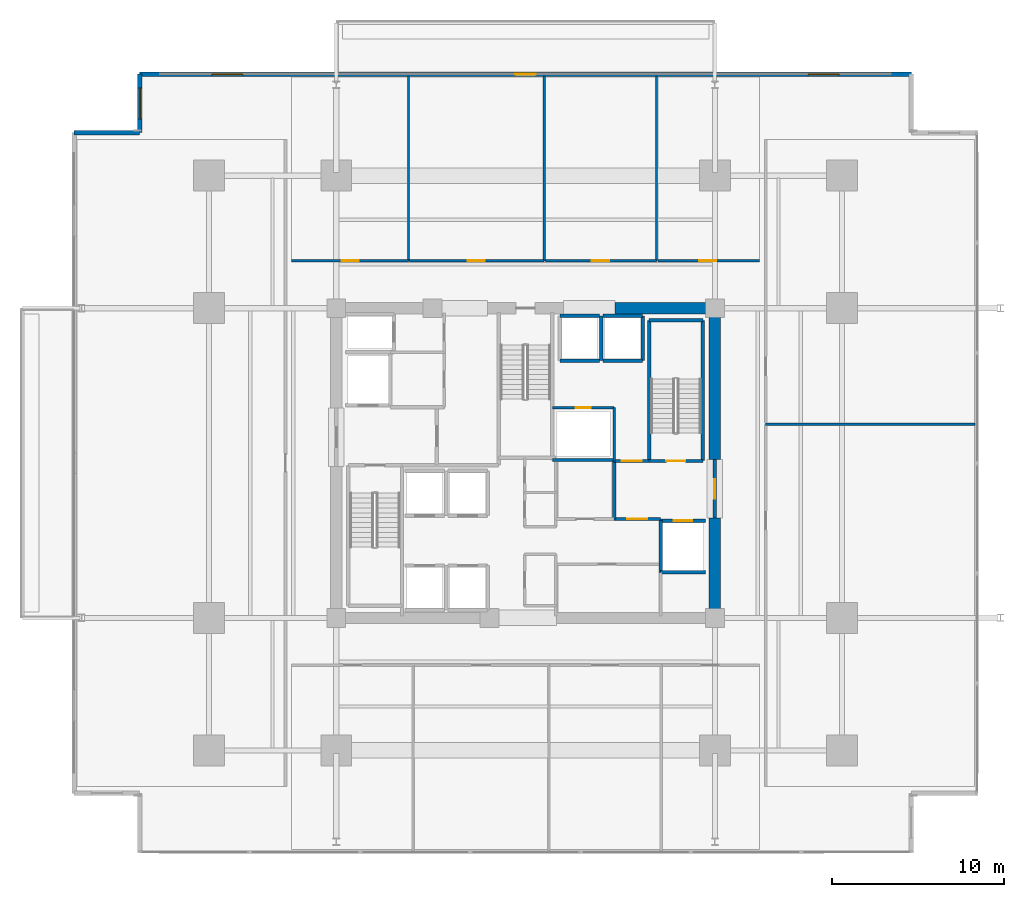
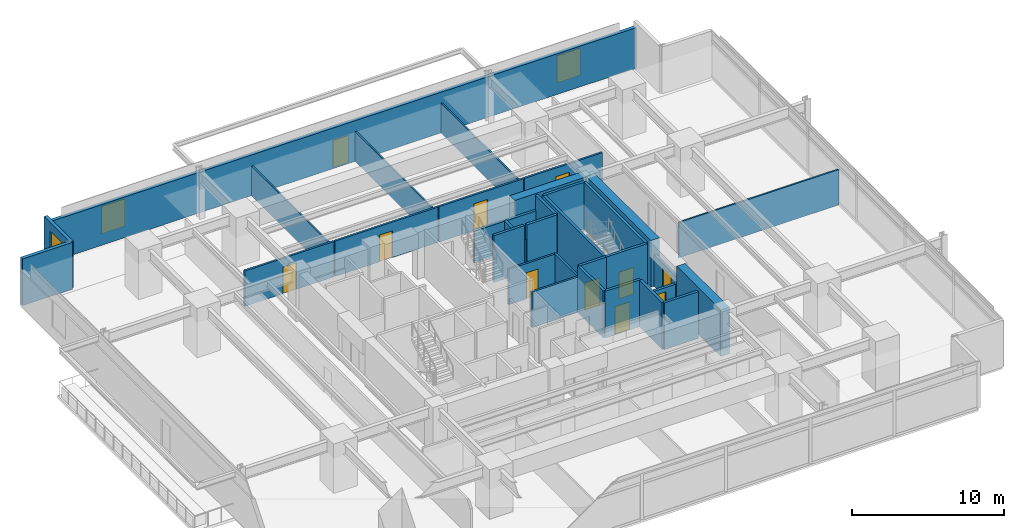
# One storey, part 17 of 22: 34 walls, 11 doors, 3 windows, 14 openings.
"""IFC4 building model written with IfcOpenShell, lengths in metres."""

from ifc_helpers import new_model, si_unit, direction, frame, frame_2d, origin, place, context, subcontext, project, spatial, rectangle, extrude, material, layer, layer_set, type_object, element, fill, save


model = new_model("IFC4")

# Units and contexts
model_context = context("Model", 3, precision=1e-05, world=origin(), true_north=direction((0.0, 1.0)))
body_context = subcontext(model_context, "Body", "Model", "MODEL_VIEW")
ifc_project = project(units=[si_unit("LENGTHUNIT", "METRE"), si_unit("AREAUNIT", "SQUARE_METRE"), si_unit("VOLUMEUNIT", "CUBIC_METRE"), si_unit("PLANEANGLEUNIT", "RADIAN"), si_unit("MASSUNIT", "GRAM", prefix="KILO")], contexts=[model_context])

# Site, building, storey
site_placement = place(None, origin())
site = spatial("IfcSite", under=ifc_project, at=site_placement, CompositionType="ELEMENT")
building_placement = place(site_placement, origin())
building = spatial("IfcBuilding", under=site, at=building_placement, Name="Kovane Verandah Tower", CompositionType="ELEMENT")
storey_placement = place(building_placement, frame((0.0, 0.0, 79.60009765625)))
storey = spatial("IfcBuildingStorey", under=building, at=storey_placement, Name="L18", CompositionType="ELEMENT", Elevation=79.60009765625)

# Walls
ifc_material_1 = material(Name="Fire-Rated Gypsum Stud Partition", Category="gypsum")
ifc_layer_1 = layer(ifc_material_1, 0.14990234375)
ifc_layer_set_1 = layer_set([ifc_layer_1], Name="Fire-Rated Gypsum Stud Partition")
wall_type_1 = type_object("IfcWallType", Name="WL-COR-150", PredefinedType="PARTITIONING", material=ifc_layer_set_1)
wall_1_placement = place(storey_placement, frame((41.56005859375, 27.679931640625, 0.0), z_axis=(0.0, 0.0, 1.0), x_axis=(1.0, 0.0, 0.0)))
element("IfcWall", 1, at=wall_1_placement, inside=storey, type_object=wall_type_1, Name="L18 East Core Service Riser South Wall", PredefinedType="PARTITIONING", context=body_context, shape_type="SweptSolid", body=[
    extrude(rectangle(XDim=3.58984375, YDim=0.14990234375, at=frame_2d((1.794921875, 0.0))), origin(), (0.0, 0.0, 1.0), 2.849853515625),
])
wall_2_placement = place(storey_placement, frame((45.14990234375, 27.6201171875, 0.0), z_axis=(0.0, 0.0, 1.0), x_axis=(0.0, 1.0, 0.0)))
element("IfcWall", 2, at=wall_2_placement, inside=storey, type_object=wall_type_1, Name="L18 East Core Service Riser East Wall", PredefinedType="PARTITIONING", context=body_context, shape_type="SweptSolid", body=[
    extrude(rectangle(XDim=3.099853515625, YDim=0.14990234375, at=frame_2d((1.5498046875, 0.0))), origin(), (0.0, 0.0, 1.0), 2.849853515625),
])

# Wall, opening, door
wall_3_placement = place(storey_placement, frame((41.56005859375, 30.719970703125, 0.0), z_axis=(0.0, 0.0, 1.0), x_axis=(1.0, 0.0, 0.0)))
wall_3 = element("IfcWall", 3, at=wall_3_placement, inside=storey, type_object=wall_type_1, Name="L18 Combined Chilled Water and Smoke Duct Room Partition", PredefinedType="PARTITIONING", context=body_context, shape_type="SweptSolid", body=[
    extrude(rectangle(XDim=3.58984375, YDim=0.14990234375, at=frame_2d((1.794921875, 0.0))), origin(), (0.0, 0.0, 1.0), 2.849853515625),
])
opening_1_placement = place(wall_3_placement, frame((1.35498046875, 0.0, 0.0)))
opening_1 = element("IfcOpeningElement", 4, at=opening_1_placement, cuts=wall_3, Name="Opening DR-L18-016", PredefinedType="OPENING", context=body_context, shape_type="SweptSolid", body=[
    extrude(rectangle(XDim=0.8798828125, YDim=2.10009765625, at=frame_2d((0.43994140625, 1.050048828125))), frame((0.0, 0.074951171875, 0.0), z_axis=(0.0, -1.0, 0.0), x_axis=(1.0, 0.0, 0.0)), (0.0, 0.0, 1.0), 0.14990234375),
])
ifc_material_2 = material(Name="Fire-Rated Steel Riser Access Door", Category="steel")
door_type_1 = type_object("IfcDoorType", Name="DR-RISER-880", OperationType="SINGLE_SWING_LEFT", PredefinedType="DOOR", material=ifc_material_2)
door_1_placement = place(opening_1_placement, origin())
door_1 = element("IfcDoor", 5, at=door_1_placement, inside=storey, type_object=door_type_1, Name="L18 Combined Chilled Water and Smoke Duct Room Door", OperationType="SINGLE_SWING_LEFT", OverallHeight=2.10009765625, OverallWidth=0.8798828125, PredefinedType="DOOR", context=body_context, shape_type="SweptSolid", body=[
    extrude(rectangle(XDim=0.8798828125, YDim=2.10009765625, at=frame_2d((0.43994140625, 1.050048828125))), frame((0.0, 0.02490234375, 0.0), z_axis=(0.0, -1.0, 0.0), x_axis=(1.0, 0.0, 0.0)), (0.0, 0.0, 1.0), 0.050048828125),
])
fill(opening_1, door_1)

wall_4_placement = place(storey_placement, frame((26.39990234375, 39.25, 0.0), z_axis=(0.0, 0.0, 1.0), x_axis=(1.0, 0.0, 0.0)))
wall_4 = element("IfcWall", 6, at=wall_4_placement, inside=storey, type_object=wall_type_1, Name="L18 Focus Studio N1 Corridor Partition", PredefinedType="PARTITIONING", context=body_context, shape_type="SweptSolid", body=[
    extrude(rectangle(XDim=6.800048828125, YDim=0.14990234375, at=frame_2d((3.39990234375, 0.0))), origin(), (0.0, 0.0, 1.0), 2.849853515625),
])
opening_2_placement = place(wall_4_placement, frame((2.9150390625, 0.0, 0.0)))
opening_2 = element("IfcOpeningElement", 7, at=opening_2_placement, cuts=wall_4, Name="Opening DR-L18-017", PredefinedType="OPENING", context=body_context, shape_type="SweptSolid", body=[
    extrude(rectangle(XDim=1.0, YDim=2.14990234375, at=frame_2d((0.5, 1.074951171875))), frame((0.0, 0.074951171875, 0.0), z_axis=(0.0, -1.0, 0.0), x_axis=(1.0, 0.0, 0.0)), (0.0, 0.0, 1.0), 0.14990234375),
])
ifc_material_3 = material(Name="FSC Spotted-Gum Timber Fire-Rated Office Door", Category="wood")
door_type_2 = type_object("IfcDoorType", Name="DR-OFF-1000", OperationType="SINGLE_SWING_LEFT", PredefinedType="DOOR", material=ifc_material_3)
door_2_placement = place(opening_2_placement, origin())
door_2 = element("IfcDoor", 8, at=door_2_placement, inside=storey, type_object=door_type_2, Name="L18 Focus Studio N1 Entrance Door", OperationType="SINGLE_SWING_RIGHT", OverallHeight=2.14990234375, OverallWidth=1.0, PredefinedType="DOOR", context=body_context, shape_type="SweptSolid", body=[
    extrude(rectangle(XDim=1.0, YDim=2.14990234375, at=frame_2d((0.5, 1.074951171875))), frame((0.0, 0.02490234375, 0.0), z_axis=(0.0, -1.0, 0.0), x_axis=(1.0, 0.0, 0.0)), (0.0, 0.0, 1.0), 0.050048828125),
])
fill(opening_2, door_2)

wall_5_placement = place(storey_placement, frame((33.27001953125, 39.25, 0.0), z_axis=(0.0, 0.0, 1.0), x_axis=(1.0, 0.0, 0.0)))
wall_5 = element("IfcWall", 9, at=wall_5_placement, inside=storey, type_object=wall_type_1, Name="L18 Breakout Pantry N2 Corridor Partition", PredefinedType="PARTITIONING", context=body_context, shape_type="SweptSolid", body=[
    extrude(rectangle(XDim=7.81787109375, YDim=0.14990234375, at=frame_2d((3.908935546875, 0.0))), origin(), (0.0, 0.0, 1.0), 2.849853515625),
])
opening_3_placement = place(wall_5_placement, frame((3.3740234375, 0.0, 0.0)))
opening_3 = element("IfcOpeningElement", 10, at=opening_3_placement, cuts=wall_5, Name="Opening DR-L18-018", PredefinedType="OPENING", context=body_context, shape_type="SweptSolid", body=[
    extrude(rectangle(XDim=1.0, YDim=2.14990234375, at=frame_2d((0.5, 1.074951171875))), frame((0.0, 0.074951171875, 0.0), z_axis=(0.0, -1.0, 0.0), x_axis=(1.0, 0.0, 0.0)), (0.0, 0.0, 1.0), 0.14990234375),
])
door_3_placement = place(opening_3_placement, origin())
door_3 = element("IfcDoor", 11, at=door_3_placement, inside=storey, type_object=door_type_2, Name="L18 Breakout Pantry N2 Entrance Door", OperationType="SINGLE_SWING_LEFT", OverallHeight=2.14990234375, OverallWidth=1.0, PredefinedType="DOOR", context=body_context, shape_type="SweptSolid", body=[
    extrude(rectangle(XDim=1.0, YDim=2.14990234375, at=frame_2d((0.5, 1.074951171875))), frame((0.0, 0.02490234375, 0.0), z_axis=(0.0, -1.0, 0.0), x_axis=(1.0, 0.0, 0.0)), (0.0, 0.0, 1.0), 0.050048828125),
])
fill(opening_3, door_3)

wall_6_placement = place(storey_placement, frame((41.157958984375, 39.25, 0.0), z_axis=(0.0, 0.0, 1.0), x_axis=(1.0, 0.0, 0.0)))
wall_6 = element("IfcWall", 12, at=wall_6_placement, inside=storey, type_object=wall_type_1, Name="L18 Collaboration Hub N3 Corridor Partition", PredefinedType="PARTITIONING", context=body_context, shape_type="SweptSolid", body=[
    extrude(rectangle(XDim=6.4580078125, YDim=0.14990234375, at=frame_2d((3.22900390625, 0.0))), origin(), (0.0, 0.0, 1.0), 2.849853515625),
])
opening_4_placement = place(wall_6_placement, frame((2.694091796875, 0.0, 0.0)))
opening_4 = element("IfcOpeningElement", 13, at=opening_4_placement, cuts=wall_6, Name="Opening DR-L18-019", PredefinedType="OPENING", context=body_context, shape_type="SweptSolid", body=[
    extrude(rectangle(XDim=1.0, YDim=2.14990234375, at=frame_2d((0.5, 1.074951171875))), frame((0.0, 0.074951171875, 0.0), z_axis=(0.0, -1.0, 0.0), x_axis=(1.0, 0.0, 0.0)), (0.0, 0.0, 1.0), 0.14990234375),
])
door_4_placement = place(opening_4_placement, origin())
door_4 = element("IfcDoor", 14, at=door_4_placement, inside=storey, type_object=door_type_2, Name="L18 Collaboration Hub N3 Entrance Door", OperationType="SINGLE_SWING_RIGHT", OverallHeight=2.14990234375, OverallWidth=1.0, PredefinedType="DOOR", context=body_context, shape_type="SweptSolid", body=[
    extrude(rectangle(XDim=1.0, YDim=2.14990234375, at=frame_2d((0.5, 1.074951171875))), frame((0.0, 0.02490234375, 0.0), z_axis=(0.0, -1.0, 0.0), x_axis=(1.0, 0.0, 0.0)), (0.0, 0.0, 1.0), 0.050048828125),
])
fill(opening_4, door_4)

wall_7_placement = place(storey_placement, frame((47.68603515625, 39.25, 0.0), z_axis=(0.0, 0.0, 1.0), x_axis=(1.0, 0.0, 0.0)))
wall_7 = element("IfcWall", 15, at=wall_7_placement, inside=storey, type_object=wall_type_1, Name="L18 Document and Print Room N4 Corridor Partition", PredefinedType="PARTITIONING", context=body_context, shape_type="SweptSolid", body=[
    extrude(rectangle(XDim=5.9140625, YDim=0.14990234375, at=frame_2d((2.95703125, 0.0))), origin(), (0.0, 0.0, 1.0), 2.849853515625),
])
opening_5_placement = place(wall_7_placement, frame((2.406982421875, 0.0, 0.0)))
opening_5 = element("IfcOpeningElement", 16, at=opening_5_placement, cuts=wall_7, Name="Opening DR-L18-020", PredefinedType="OPENING", context=body_context, shape_type="SweptSolid", body=[
    extrude(rectangle(XDim=1.0, YDim=2.14990234375, at=frame_2d((0.5, 1.074951171875))), frame((0.0, 0.074951171875, 0.0), z_axis=(0.0, -1.0, 0.0), x_axis=(1.0, 0.0, 0.0)), (0.0, 0.0, 1.0), 0.14990234375),
])
door_5_placement = place(opening_5_placement, origin())
door_5 = element("IfcDoor", 17, at=door_5_placement, inside=storey, type_object=door_type_2, Name="L18 Document and Print Room N4 Entrance Door", OperationType="SINGLE_SWING_LEFT", OverallHeight=2.14990234375, OverallWidth=1.0, PredefinedType="DOOR", context=body_context, shape_type="SweptSolid", body=[
    extrude(rectangle(XDim=1.0, YDim=2.14990234375, at=frame_2d((0.5, 1.074951171875))), frame((0.0, 0.02490234375, 0.0), z_axis=(0.0, -1.0, 0.0), x_axis=(1.0, 0.0, 0.0)), (0.0, 0.0, 1.0), 0.050048828125),
])
fill(opening_5, door_5)

# Walls
ifc_material_4 = material(Name="Concrete C80/95", Category="concrete")
ifc_layer_2 = layer(ifc_material_4, 0.64990234375)
ifc_layer_set_2 = layer_set([ifc_layer_2], Name="Concrete C80/95")
wall_type_2 = type_object("IfcWallType", Name="WL-CORE-650", PredefinedType="SHEAR", material=ifc_layer_set_2)
for number, where, z_axis, x_axis, name in (
    (18, (45.199951171875, 36.5, 0.0), (0.0, 0.0, 1.0), (1.0, 0.0, 0.0), "L18 Core Shear Wall CN-3"),
    (19, (51.0, 18.5, 0.0), (0.0, 0.0, 1.0), (0.0, 1.0, 0.0), "L18 Core Shear Wall CE-1"),
):
    element("IfcWall", number, at=place(storey_placement, frame(where, z_axis=z_axis, x_axis=x_axis)), inside=storey, type_object=wall_type_2, Name=name, PredefinedType="SHEAR", context=body_context, shape_type="SweptSolid", body=[
        extrude(rectangle(XDim=5.800048828125, YDim=0.64990234375, at=frame_2d((2.89990234375, 0.0))), origin(), (0.0, 0.0, 1.0), 3.760009765625),
    ])
wall_8_placement = place(storey_placement, frame((51.0, 27.699951171875, 0.0), z_axis=(0.0, 0.0, 1.0), x_axis=(0.0, 1.0, 0.0)))
element("IfcWall", 20, at=wall_8_placement, inside=storey, type_object=wall_type_2, Name="L18 Core Shear Wall CE-2", PredefinedType="SHEAR", context=body_context, shape_type="SweptSolid", body=[
    extrude(rectangle(XDim=8.800048828125, YDim=0.64990234375, at=frame_2d((4.39990234375, 0.0))), origin(), (0.0, 0.0, 1.0), 3.760009765625),
])
ifc_material_5 = material(Name="Concrete C45/55 Fire Wall", Category="concrete")
ifc_layer_3 = layer(ifc_material_5, 0.199951171875)
ifc_layer_set_3 = layer_set([ifc_layer_3], Name="Concrete C45/55 Fire Wall")
wall_type_3 = type_object("IfcWallType", Name="WL-FFL-200", PredefinedType="PARTITIONING", material=ifc_layer_set_3)
wall_9_placement = place(storey_placement, frame((45.14990234375, 24.25, 0.0), z_axis=(0.0, 0.0, 1.0), x_axis=(0.0, 1.0, 0.0)))
element("IfcWall", 21, at=wall_9_placement, inside=storey, type_object=wall_type_3, Name="L18 East Firefighting Lobby West Fire Wall", PredefinedType="PARTITIONING", context=body_context, shape_type="SweptSolid", body=[
    extrude(rectangle(XDim=3.3701171875, YDim=0.199951171875, at=frame_2d((1.68505859375, 0.0))), origin(), (0.0, 0.0, 1.0), 3.760009765625),
])

# Wall, opening, door
wall_10_placement = place(storey_placement, frame((45.14990234375, 24.25, 0.0), z_axis=(0.0, 0.0, 1.0), x_axis=(1.0, 0.0, 0.0)))
wall_10 = element("IfcWall", 22, at=wall_10_placement, inside=storey, type_object=wall_type_3, Name="W-L18-FFLE-S", PredefinedType="PARTITIONING", context=body_context, shape_type="SweptSolid", body=[
    extrude(rectangle(XDim=2.7001953125, YDim=0.199951171875, at=frame_2d((1.35009765625, 0.0))), origin(), (0.0, 0.0, 1.0), 3.760009765625),
])
opening_6_placement = place(wall_10_placement, frame((0.77490234375, 0.0, 0.0)))
opening_6 = element("IfcOpeningElement", 23, at=opening_6_placement, cuts=wall_10, Name="Opening DR-L18-003", PredefinedType="OPENING", context=body_context, shape_type="SweptSolid", body=[
    extrude(rectangle(XDim=1.14990234375, YDim=2.199951171875, at=frame_2d((0.574951171875, 1.10009765625))), frame((0.0, 0.10009765625, 0.0), z_axis=(0.0, -1.0, 0.0), x_axis=(1.0, 0.0, 0.0)), (0.0, 0.0, 1.0), 0.199951171875),
])
ifc_material_6 = material(Name="Smoke-Sealed Firefighting Lobby Door", Category="steel")
door_type_3 = type_object("IfcDoorType", Name="DR-FFL-1150", OperationType="SINGLE_SWING_LEFT", PredefinedType="DOOR", material=ifc_material_6)
door_6_placement = place(opening_6_placement, origin())
door_6 = element("IfcDoor", 24, at=door_6_placement, inside=storey, type_object=door_type_3, Name="L18 East Firefighting Lobby Inner Door", OperationType="SINGLE_SWING_RIGHT", OverallHeight=2.199951171875, OverallWidth=1.14990234375, PredefinedType="DOOR", context=body_context, shape_type="SweptSolid", body=[
    extrude(rectangle(XDim=1.14990234375, YDim=2.199951171875, at=frame_2d((0.574951171875, 1.10009765625))), frame((0.0, 0.02490234375, 0.0), z_axis=(0.0, -1.0, 0.0), x_axis=(1.0, 0.0, 0.0)), (0.0, 0.0, 1.0), 0.050048828125),
])
fill(opening_6, door_6)

wall_11_placement = place(storey_placement, frame((45.14990234375, 27.6201171875, 0.0), z_axis=(0.0, 0.0, 1.0), x_axis=(1.0, 0.0, 0.0)))
wall_11 = element("IfcWall", 25, at=wall_11_placement, inside=storey, type_object=wall_type_3, Name="W-L18-FFLE-N", PredefinedType="PARTITIONING", context=body_context, shape_type="SweptSolid", body=[
    extrude(rectangle(XDim=2.030029296875, YDim=0.199951171875, at=frame_2d((1.01513671875, 0.0))), origin(), (0.0, 0.0, 1.0), 3.760009765625),
])
opening_7_placement = place(wall_11_placement, frame((0.43994140625, 0.0, 0.0)))
opening_7 = element("IfcOpeningElement", 26, at=opening_7_placement, cuts=wall_11, Name="Opening DR-L18-004", PredefinedType="OPENING", context=body_context, shape_type="SweptSolid", body=[
    extrude(rectangle(XDim=1.14990234375, YDim=2.199951171875, at=frame_2d((0.574951171875, 1.10009765625))), frame((0.0, 0.10009765625, 0.0), z_axis=(0.0, -1.0, 0.0), x_axis=(1.0, 0.0, 0.0)), (0.0, 0.0, 1.0), 0.199951171875),
])
door_7_placement = place(opening_7_placement, origin())
door_7 = element("IfcDoor", 27, at=door_7_placement, inside=storey, type_object=door_type_3, Name="L18 East Firefighting Lobby Shuttle Link Door", OperationType="SINGLE_SWING_LEFT", OverallHeight=2.199951171875, OverallWidth=1.14990234375, PredefinedType="DOOR", context=body_context, shape_type="SweptSolid", body=[
    extrude(rectangle(XDim=1.14990234375, YDim=2.199951171875, at=frame_2d((0.574951171875, 1.10009765625))), frame((0.0, 0.02490234375, 0.0), z_axis=(0.0, -1.0, 0.0), x_axis=(1.0, 0.0, 0.0)), (0.0, 0.0, 1.0), 0.050048828125),
])
fill(opening_7, door_7)

wall_12_placement = place(storey_placement, frame((51.0, 24.300048828125, 0.0), z_axis=(0.0, 0.0, 1.0), x_axis=(0.0, 1.0, 0.0)))
wall_12 = element("IfcWall", 28, at=wall_12_placement, inside=storey, type_object=wall_type_3, Name="W-L18-FFLE-OUT", PredefinedType="PARTITIONING", context=body_context, shape_type="SweptSolid", body=[
    extrude(rectangle(XDim=3.39990234375, YDim=0.199951171875, at=frame_2d((1.699951171875, 0.0))), origin(), (0.0, 0.0, 1.0), 2.539794921875),
])
opening_8_placement = place(wall_12_placement, frame((1.125, 0.0, 0.0)))
opening_8 = element("IfcOpeningElement", 29, at=opening_8_placement, cuts=wall_12, Name="Opening DR-L18-005", PredefinedType="OPENING", context=body_context, shape_type="SweptSolid", body=[
    extrude(rectangle(XDim=1.14990234375, YDim=2.199951171875, at=frame_2d((0.574951171875, 1.10009765625))), frame((0.0, 0.10009765625, 0.0), z_axis=(0.0, -1.0, 0.0), x_axis=(1.0, 0.0, 0.0)), (0.0, 0.0, 1.0), 0.199951171875),
])
door_8_placement = place(opening_8_placement, origin())
door_8 = element("IfcDoor", 30, at=door_8_placement, inside=storey, type_object=door_type_3, Name="L18 East Firefighting Lobby Corridor Door", OperationType="SINGLE_SWING_LEFT", OverallHeight=2.199951171875, OverallWidth=1.14990234375, PredefinedType="DOOR", context=body_context, shape_type="SweptSolid", body=[
    extrude(rectangle(XDim=1.14990234375, YDim=2.199951171875, at=frame_2d((0.574951171875, 1.10009765625))), frame((0.0, 0.02490234375, 0.0), z_axis=(0.0, -1.0, 0.0), x_axis=(1.0, 0.0, 0.0)), (0.0, 0.0, 1.0), 0.050048828125),
])
fill(opening_8, door_8)

# Wall
ifc_material_7 = material(Name="Concrete C45/55 Lift Shaft Wall", Category="concrete")
ifc_layer_4 = layer(ifc_material_7, 0.199951171875)
ifc_layer_set_4 = layer_set([ifc_layer_4], Name="Concrete C45/55 Lift Shaft Wall")
wall_type_4 = type_object("IfcWallType", Name="WL-LIFT-200", PredefinedType="SOLIDWALL", material=ifc_layer_set_4)
wall_13_placement = place(storey_placement, frame((47.85009765625, 21.14990234375, 0.0), z_axis=(0.0, 0.0, 1.0), x_axis=(1.0, 0.0, 0.0)))
element("IfcWall", 31, at=wall_13_placement, inside=storey, type_object=wall_type_4, Name="L18 Lift FL-02 S Shaft Wall", PredefinedType="SOLIDWALL", context=body_context, shape_type="SweptSolid", body=[
    extrude(rectangle(XDim=2.599853515625, YDim=0.199951171875, at=frame_2d((1.2998046875, 0.0))), origin(), (0.0, 0.0, 1.0), 3.760009765625),
])

# Wall, opening, door
wall_14_placement = place(storey_placement, frame((50.449951171875, 24.14990234375, 0.0), z_axis=(0.0, 0.0, 1.0), x_axis=(-1.0, 0.0, 0.0)))
wall_14 = element("IfcWall", 32, at=wall_14_placement, inside=storey, type_object=wall_type_4, Name="L18 Lift FL-02 N Shaft Wall", PredefinedType="SOLIDWALL", context=body_context, shape_type="SweptSolid", body=[
    extrude(rectangle(XDim=2.599853515625, YDim=0.199951171875, at=frame_2d((1.2998046875, 0.0))), origin(), (0.0, 0.0, 1.0), 2.539794921875),
])
opening_9_placement = place(wall_14_placement, frame((0.75, 0.0, 0.0)))
opening_9 = element("IfcOpeningElement", 33, at=opening_9_placement, cuts=wall_14, Name="Opening LD-L18-002", PredefinedType="OPENING", context=body_context, shape_type="SweptSolid", body=[
    extrude(rectangle(XDim=1.10009765625, YDim=2.199951171875, at=frame_2d((0.550048828125, 1.10009765625))), frame((0.0, 0.10009765625, 0.0), z_axis=(0.0, -1.0, 0.0), x_axis=(1.0, 0.0, 0.0)), (0.0, 0.0, 1.0), 0.199951171875),
])
ifc_material_8 = material(Name="Brushed Stainless Steel Sliding Lift Landing Door", Category="steel")
door_type_4 = type_object("IfcDoorType", Name="DR-LIFT-1100", OperationType="SLIDING_TO_RIGHT", PredefinedType="DOOR", material=ifc_material_8)
door_9_placement = place(opening_9_placement, origin())
door_9 = element("IfcDoor", 34, at=door_9_placement, inside=storey, type_object=door_type_4, Name="L18 Lift FL-02 Sliding Landing Door", OperationType="SLIDING_TO_RIGHT", OverallHeight=2.199951171875, OverallWidth=1.10009765625, PredefinedType="DOOR", context=body_context, shape_type="SweptSolid", body=[
    extrude(rectangle(XDim=1.10009765625, YDim=2.199951171875, at=frame_2d((0.550048828125, 1.10009765625))), frame((0.0, 0.02490234375, 0.0), z_axis=(0.0, -1.0, 0.0), x_axis=(1.0, 0.0, 0.0)), (0.0, 0.0, 1.0), 0.050048828125),
])
fill(opening_9, door_9)

# Walls
wall_15_placement = place(storey_placement, frame((47.85009765625, 24.14990234375, 0.0), z_axis=(0.0, 0.0, 1.0), x_axis=(0.0, -1.0, 0.0)))
element("IfcWall", 35, at=wall_15_placement, inside=storey, type_object=wall_type_4, Name="L18 Lift FL-02 W Shaft Wall", PredefinedType="SOLIDWALL", context=body_context, shape_type="SweptSolid", body=[
    extrude(rectangle(XDim=3.0, YDim=0.199951171875, at=frame_2d((1.5, 0.0))), origin(), (0.0, 0.0, 1.0), 3.760009765625),
])
wall_16_placement = place(storey_placement, frame((42.0, 33.449951171875, 0.0), z_axis=(0.0, 0.0, 1.0), x_axis=(1.0, 0.0, 0.0)))
element("IfcWall", 36, at=wall_16_placement, inside=storey, type_object=wall_type_4, Name="L18 Lift SL-01 S Shaft Wall", PredefinedType="SOLIDWALL", context=body_context, shape_type="SweptSolid", body=[
    extrude(rectangle(XDim=2.300048828125, YDim=0.199951171875, at=frame_2d((1.14990234375, 0.0))), origin(), (0.0, 0.0, 1.0), 3.760009765625),
])
wall_17_placement = place(storey_placement, frame((44.300048828125, 36.050048828125, 0.0), z_axis=(0.0, 0.0, 1.0), x_axis=(-1.0, 0.0, 0.0)))
element("IfcWall", 37, at=wall_17_placement, inside=storey, type_object=wall_type_4, Name="L18 Lift SL-01 N Shaft Wall", PredefinedType="SOLIDWALL", context=body_context, shape_type="SweptSolid", body=[
    extrude(rectangle(XDim=2.300048828125, YDim=0.199951171875, at=frame_2d((1.14990234375, 0.0))), origin(), (0.0, 0.0, 1.0), 2.539794921875),
])
wall_18_placement = place(storey_placement, frame((44.39990234375, 33.449951171875, 0.0), z_axis=(0.0, 0.0, 1.0), x_axis=(0.0, 1.0, 0.0)))
element("IfcWall", 38, at=wall_18_placement, inside=storey, type_object=wall_type_4, Name="L18 Lift OL-01 and SL-01 Shared Shaft Wall", PredefinedType="SOLIDWALL", context=body_context, shape_type="SweptSolid", body=[
    extrude(rectangle(XDim=2.60009765625, YDim=0.199951171875, at=frame_2d((1.300048828125, 0.0))), origin(), (0.0, 0.0, 1.0), 2.539794921875),
])
wall_19_placement = place(storey_placement, frame((44.5, 33.449951171875, 0.0), z_axis=(0.0, 0.0, 1.0), x_axis=(1.0, 0.0, 0.0)))
element("IfcWall", 39, at=wall_19_placement, inside=storey, type_object=wall_type_4, Name="L18 Lift OL-01 S Shaft Wall", PredefinedType="SOLIDWALL", context=body_context, shape_type="SweptSolid", body=[
    extrude(rectangle(XDim=2.300048828125, YDim=0.199951171875, at=frame_2d((1.14990234375, 0.0))), origin(), (0.0, 0.0, 1.0), 3.760009765625),
])
wall_20_placement = place(storey_placement, frame((46.800048828125, 36.050048828125, 0.0), z_axis=(0.0, 0.0, 1.0), x_axis=(-1.0, 0.0, 0.0)))
element("IfcWall", 40, at=wall_20_placement, inside=storey, type_object=wall_type_4, Name="L18 Lift OL-01 N Shaft Wall", PredefinedType="SOLIDWALL", context=body_context, shape_type="SweptSolid", body=[
    extrude(rectangle(XDim=2.300048828125, YDim=0.199951171875, at=frame_2d((1.14990234375, 0.0))), origin(), (0.0, 0.0, 1.0), 2.539794921875),
])
wall_21_placement = place(storey_placement, frame((46.800048828125, 33.449951171875, 0.0), z_axis=(0.0, 0.0, 1.0), x_axis=(0.0, 1.0, 0.0)))
element("IfcWall", 41, at=wall_21_placement, inside=storey, type_object=wall_type_4, Name="L18 Lift OL-01 E Shaft Wall", PredefinedType="SOLIDWALL", context=body_context, shape_type="SweptSolid", body=[
    extrude(rectangle(XDim=2.60009765625, YDim=0.199951171875, at=frame_2d((1.300048828125, 0.0))), origin(), (0.0, 0.0, 1.0), 3.760009765625),
])
ifc_material_9 = material(Name="Acoustic Fire-Rated Gypsum Partition", Category="gypsum")
ifc_layer_5 = layer(ifc_material_9, 0.1201171875)
ifc_layer_set_5 = layer_set([ifc_layer_5], Name="Acoustic Fire-Rated Gypsum Partition")
wall_type_5 = type_object("IfcWallType", Name="WL-PART-120", PredefinedType="PARTITIONING", material=ifc_layer_set_5)
for number, where, z_axis, x_axis, name in (
    (42, (33.199951171875, 39.25, 0.0), (0.0, 0.0, 1.0), (0.0, 1.0, 0.0), "L18 Focus Studio N1 Dividing Partition"),
    (43, (41.087890625, 39.25, 0.0), (0.0, 0.0, 1.0), (0.0, 1.0, 0.0), "L18 Breakout Pantry N2 Dividing Partition"),
    (44, (47.615966796875, 39.25, 0.0), (0.0, 0.0, 1.0), (0.0, 1.0, 0.0), "L18 Collaboration Hub N3 Dividing Partition"),
):
    element("IfcWall", number, at=place(storey_placement, frame(where, z_axis=z_axis, x_axis=x_axis)), inside=storey, type_object=wall_type_5, Name=name, PredefinedType="PARTITIONING", context=body_context, shape_type="SweptSolid", body=[
        extrude(rectangle(XDim=10.75, YDim=0.1201171875, at=frame_2d((5.375, 0.0))), origin(), (0.0, 0.0, 1.0), 2.389892578125),
    ])
wall_22_placement = place(storey_placement, frame((53.949951171875, 29.756103515625, 0.0), z_axis=(0.0, 0.0, 1.0), x_axis=(1.0, 0.0, 0.0)))
element("IfcWall", 45, at=wall_22_placement, inside=storey, type_object=wall_type_5, Name="L18 Breakout Pantry E1 Dividing Partition", PredefinedType="PARTITIONING", context=body_context, shape_type="SweptSolid", body=[
    extrude(rectangle(XDim=12.1787109375, YDim=0.1201171875, at=frame_2d((6.08935546875, 0.0))), origin(), (0.0, 0.0, 1.0), 2.849853515625),
])
ifc_material_10 = material(Name="Concrete C45/55", Category="concrete")
ifc_layer_6 = layer(ifc_material_10, 0.199951171875)
ifc_layer_set_6 = layer_set([ifc_layer_6], Name="Concrete C45/55")
wall_type_6 = type_object("IfcWallType", Name="WL-SHAFT-200", PredefinedType="SOLIDWALL", material=ifc_layer_set_6)
wall_23_placement = place(storey_placement, frame((50.300048828125, 27.64990234375, 0.0), z_axis=(0.0, 0.0, 1.0), x_axis=(0.0, 1.0, 0.0)))
element("IfcWall", 46, at=wall_23_placement, inside=storey, type_object=wall_type_6, Name="W-L18-ST02-E", PredefinedType="SOLIDWALL", context=body_context, shape_type="SweptSolid", body=[
    extrude(rectangle(XDim=8.150146484375, YDim=0.199951171875, at=frame_2d((4.0751953125, 0.0))), origin(), (0.0, 0.0, 1.0), 3.760009765625),
])
wall_24_placement = place(storey_placement, frame((47.179931640625, 35.800048828125, 0.0), z_axis=(0.0, 0.0, 1.0), x_axis=(1.0, 0.0, 0.0)))
element("IfcWall", 47, at=wall_24_placement, inside=storey, type_object=wall_type_6, Name="W-L18-ST02-N", PredefinedType="SOLIDWALL", context=body_context, shape_type="SweptSolid", body=[
    extrude(rectangle(XDim=3.1201171875, YDim=0.199951171875, at=frame_2d((1.56005859375, 0.0))), origin(), (0.0, 0.0, 1.0), 3.760009765625),
])
wall_25_placement = place(storey_placement, frame((47.179931640625, 27.6201171875, 0.0), z_axis=(0.0, 0.0, 1.0), x_axis=(0.0, 1.0, 0.0)))
element("IfcWall", 48, at=wall_25_placement, inside=storey, type_object=wall_type_6, Name="W-L18-ST02-W", PredefinedType="SOLIDWALL", context=body_context, shape_type="SweptSolid", body=[
    extrude(rectangle(XDim=8.179931640625, YDim=0.199951171875, at=frame_2d((4.08984375, 0.0))), origin(), (0.0, 0.0, 1.0), 3.760009765625),
])

# Wall, opening, door
wall_26_placement = place(storey_placement, frame((47.179931640625, 27.6201171875, 0.0), z_axis=(0.0, 0.0, 1.0), x_axis=(1.0, 0.0, 0.0)))
wall_26 = element("IfcWall", 49, at=wall_26_placement, inside=storey, type_object=wall_type_6, Name="W-L18-ST02-S", PredefinedType="SOLIDWALL", context=body_context, shape_type="SweptSolid", body=[
    extrude(rectangle(XDim=3.1201171875, YDim=0.199951171875, at=frame_2d((1.56005859375, 0.0))), origin(), (0.0, 0.0, 1.0), 3.760009765625),
])
opening_10_placement = place(wall_26_placement, frame((1.010009765625, 0.0, 0.0)))
opening_10 = element("IfcOpeningElement", 50, at=opening_10_placement, cuts=wall_26, Name="Opening DR-L18-010", PredefinedType="OPENING", context=body_context, shape_type="SweptSolid", body=[
    extrude(rectangle(XDim=1.10009765625, YDim=2.14990234375, at=frame_2d((0.550048828125, 1.074951171875))), frame((0.0, 0.10009765625, 0.0), z_axis=(0.0, -1.0, 0.0), x_axis=(1.0, 0.0, 0.0)), (0.0, 0.0, 1.0), 0.199951171875),
])
ifc_material_11 = material(Name="Fire-Rated Steel Exit Door", Category="steel")
door_type_5 = type_object("IfcDoorType", Name="DR-STAIR-1100", OperationType="SINGLE_SWING_LEFT", PredefinedType="DOOR", material=ifc_material_11)
door_10_placement = place(opening_10_placement, origin())
door_10 = element("IfcDoor", 51, at=door_10_placement, inside=storey, type_object=door_type_5, Name="L18 ST-02 Fire Exit Stair Door", OperationType="SINGLE_SWING_RIGHT", OverallHeight=2.14990234375, OverallWidth=1.10009765625, PredefinedType="DOOR", context=body_context, shape_type="SweptSolid", body=[
    extrude(rectangle(XDim=1.10009765625, YDim=2.14990234375, at=frame_2d((0.550048828125, 1.074951171875))), frame((0.0, 0.02490234375, 0.0), z_axis=(0.0, -1.0, 0.0), x_axis=(1.0, 0.0, 0.0)), (0.0, 0.0, 1.0), 0.050048828125),
])
fill(opening_10, door_10)

# Wall, openings, door, windows
ifc_material_12 = material(Name="Concrete C45/55 Insulated Spandrel Wall", Category="concrete")
ifc_layer_7 = layer(ifc_material_12, 0.260009765625)
ifc_layer_set_7 = layer_set([ifc_layer_7], Name="Concrete C45/55 Insulated Spandrel Wall")
wall_type_7 = type_object("IfcWallType", Name="WL-SPANDREL-260", PredefinedType="PARAPET", material=ifc_layer_set_7)
wall_27_placement = place(storey_placement, frame((62.4287109375, 50.10009765625, 0.0), z_axis=(0.0, 0.0, 1.0), x_axis=(-1.0, 0.0, 0.0)))
wall_27 = element("IfcWall", 52, at=wall_27_placement, inside=storey, type_object=wall_type_7, Name="L18 N Verandah Access Facade Wall", PredefinedType="PARAPET", context=body_context, shape_type="SweptSolid", body=[
    extrude(rectangle(XDim=44.857421875, YDim=0.260009765625, at=frame_2d((22.4287109375, 0.0))), origin(), (0.0, 0.0, 1.0), 3.272705078125),
])
opening_11_placement = place(wall_27_placement, frame((4.199951171875, 0.0, 0.85009765625)))
opening_11 = element("IfcOpeningElement", 53, at=opening_11_placement, cuts=wall_27, Name="Opening W-03", PredefinedType="OPENING", context=body_context, shape_type="SweptSolid", body=[
    extrude(rectangle(XDim=1.800048828125, YDim=2.199951171875, at=frame_2d((0.89990234375, 1.10009765625))), frame((0.0, 0.1298828125, 0.0), z_axis=(0.0, -1.0, 0.0), x_axis=(1.0, 0.0, 0.0)), (0.0, 0.0, 1.0), 0.260009765625),
])
opening_12_placement = place(wall_27_placement, frame((21.82861328125, 0.0, 0.0)))
opening_12 = element("IfcOpeningElement", 54, at=opening_12_placement, cuts=wall_27, Name="Opening DR-L18-001", PredefinedType="OPENING", context=body_context, shape_type="SweptSolid", body=[
    extrude(rectangle(XDim=1.199951171875, YDim=2.199951171875, at=frame_2d((0.60009765625, 1.10009765625))), frame((0.0, 0.1298828125, 0.0), z_axis=(0.0, -1.0, 0.0), x_axis=(1.0, 0.0, 0.0)), (0.0, 0.0, 1.0), 0.260009765625),
])
opening_13_placement = place(wall_27_placement, frame((38.857421875, 0.0, 0.85009765625)))
opening_13 = element("IfcOpeningElement", 55, at=opening_13_placement, cuts=wall_27, Name="Opening W-03", PredefinedType="OPENING", context=body_context, shape_type="SweptSolid", body=[
    extrude(rectangle(XDim=1.800048828125, YDim=2.199951171875, at=frame_2d((0.89990234375, 1.10009765625))), frame((0.0, 0.1298828125, 0.0), z_axis=(0.0, -1.0, 0.0), x_axis=(1.0, 0.0, 0.0)), (0.0, 0.0, 1.0), 0.260009765625),
])
ifc_material_13 = material(Name="Cyclone-Rated Glazed Balcony Leaf Door", Category="aluminium")
door_type_6 = type_object("IfcDoorType", Name="DR-BAL-1200x2200", OperationType="SINGLE_SWING_LEFT", PredefinedType="DOOR", material=ifc_material_13)
door_11_placement = place(opening_12_placement, origin())
door_11 = element("IfcDoor", 56, at=door_11_placement, inside=storey, type_object=door_type_6, Name="L18 N Planted Balcony Access Door", OperationType="SINGLE_SWING_LEFT", OverallHeight=2.199951171875, OverallWidth=1.199951171875, PredefinedType="DOOR", context=body_context, shape_type="SweptSolid", body=[
    extrude(rectangle(XDim=1.199951171875, YDim=2.199951171875, at=frame_2d((0.60009765625, 1.10009765625))), frame((0.0, 0.02490234375, 0.0), z_axis=(0.0, -1.0, 0.0), x_axis=(1.0, 0.0, 0.0)), (0.0, 0.0, 1.0), 0.050048828125),
])
fill(opening_12, door_11)
ifc_material_14 = material(Name="Clear Low-E Laminated Double Glazing in Anodised Frame", Category="glass")
window_type = type_object("IfcWindowType", Name="WN-NOTCH-1800x2200", PartitioningType="SINGLE_PANEL", PredefinedType="WINDOW", material=ifc_material_14)
window_1_placement = place(opening_11_placement, origin())
window_1 = element("IfcWindow", 57, at=window_1_placement, inside=storey, type_object=window_type, Name="L18 N Verandah View Window 1", OverallHeight=2.199951171875, OverallWidth=1.800048828125, PartitioningType="SINGLE_PANEL", PredefinedType="WINDOW", context=body_context, shape_type="SweptSolid", body=[
    extrude(rectangle(XDim=1.800048828125, YDim=2.199951171875, at=frame_2d((0.89990234375, 1.10009765625))), frame((0.0, 0.030029296875, 0.0), z_axis=(0.0, -1.0, 0.0), x_axis=(1.0, 0.0, 0.0)), (0.0, 0.0, 1.0), 0.06005859375),
])
fill(opening_11, window_1)
window_2_placement = place(opening_13_placement, origin())
window_2 = element("IfcWindow", 58, at=window_2_placement, inside=storey, type_object=window_type, Name="L18 N Verandah View Window 2", OverallHeight=2.199951171875, OverallWidth=1.800048828125, PartitioningType="SINGLE_PANEL", PredefinedType="WINDOW", context=body_context, shape_type="SweptSolid", body=[
    extrude(rectangle(XDim=1.800048828125, YDim=2.199951171875, at=frame_2d((0.89990234375, 1.10009765625))), frame((0.0, 0.030029296875, 0.0), z_axis=(0.0, -1.0, 0.0), x_axis=(1.0, 0.0, 0.0)), (0.0, 0.0, 1.0), 0.06005859375),
])
fill(opening_13, window_2)

# Wall, opening, window
wall_28_placement = place(storey_placement, frame((17.5712890625, 50.10009765625, 0.0), z_axis=(0.0, 0.0, 1.0), x_axis=(0.0, -1.0, 0.0)))
wall_28 = element("IfcWall", 59, at=wall_28_placement, inside=storey, type_object=wall_type_7, Name="L18 NW Notch Cheek Wall 1", PredefinedType="PARAPET", context=body_context, shape_type="SweptSolid", body=[
    extrude(rectangle(XDim=3.39990234375, YDim=0.260009765625, at=frame_2d((1.699951171875, 0.0))), origin(), (0.0, 0.0, 1.0), 3.760009765625),
])
opening_14_placement = place(wall_28_placement, frame((0.800048828125, 0.0, 0.85009765625)))
opening_14 = element("IfcOpeningElement", 60, at=opening_14_placement, cuts=wall_28, Name="Opening W-03", PredefinedType="OPENING", context=body_context, shape_type="SweptSolid", body=[
    extrude(rectangle(XDim=1.800048828125, YDim=2.199951171875, at=frame_2d((0.89990234375, 1.10009765625))), frame((0.0, 0.1298828125, 0.0), z_axis=(0.0, -1.0, 0.0), x_axis=(1.0, 0.0, 0.0)), (0.0, 0.0, 1.0), 0.260009765625),
])
window_3_placement = place(opening_14_placement, origin())
window_3 = element("IfcWindow", 61, at=window_3_placement, inside=storey, type_object=window_type, Name="L18 NW Re-Entrant Corner Operable Window", OverallHeight=2.199951171875, OverallWidth=1.800048828125, PartitioningType="SINGLE_PANEL", PredefinedType="WINDOW", context=body_context, shape_type="SweptSolid", body=[
    extrude(rectangle(XDim=1.800048828125, YDim=2.199951171875, at=frame_2d((0.89990234375, 1.10009765625))), frame((0.0, 0.030029296875, 0.0), z_axis=(0.0, -1.0, 0.0), x_axis=(1.0, 0.0, 0.0)), (0.0, 0.0, 1.0), 0.06005859375),
])
fill(opening_14, window_3)

# Wall
wall_29_placement = place(storey_placement, frame((17.5712890625, 46.7001953125, 0.0), z_axis=(0.0, 0.0, 1.0), x_axis=(-1.0, 0.0, 0.0)))
element("IfcWall", 62, at=wall_29_placement, inside=storey, type_object=wall_type_7, Name="L18 NW Notch Cheek Wall 2", PredefinedType="PARAPET", context=body_context, shape_type="SweptSolid", body=[
    extrude(rectangle(XDim=3.800048828125, YDim=0.260009765625, at=frame_2d((1.89990234375, 0.0))), origin(), (0.0, 0.0, 1.0), 3.760009765625),
])

save(model, "model.ifc")
